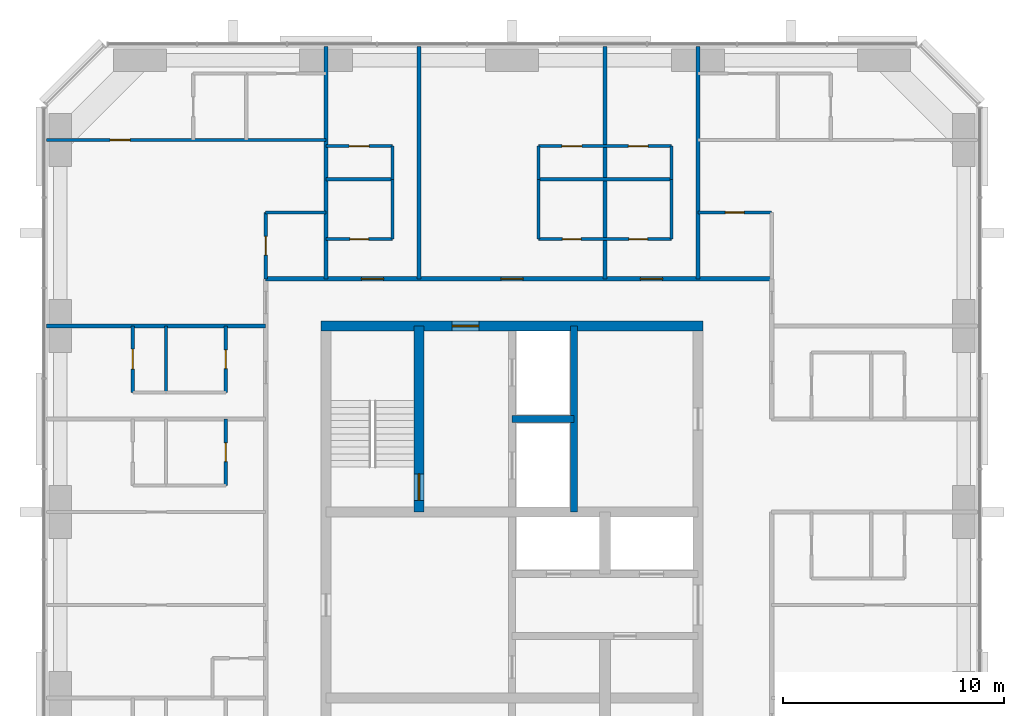
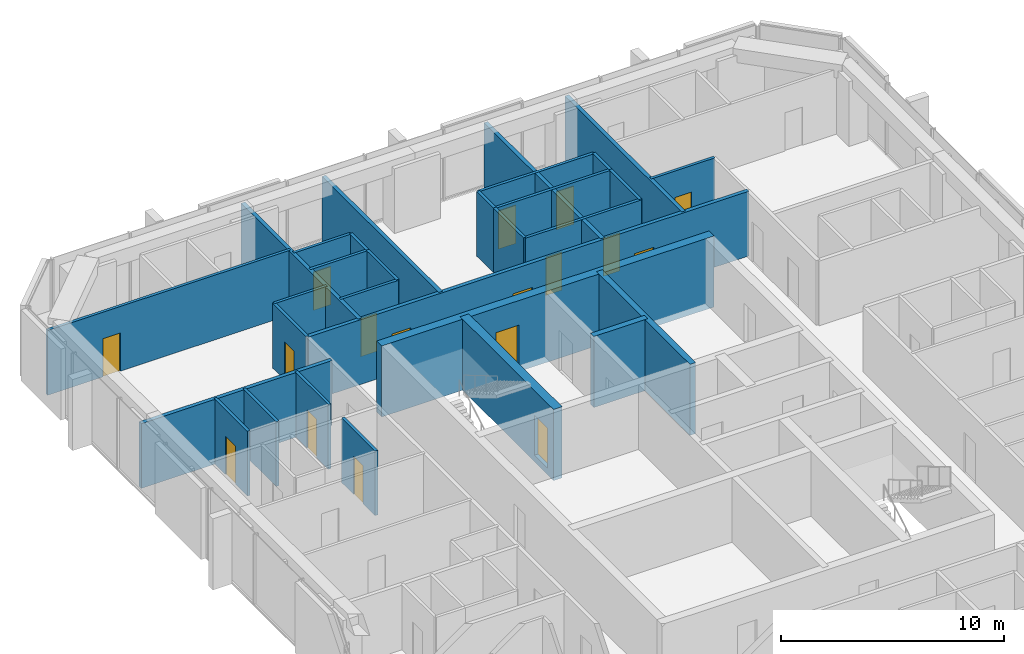
# One storey, part 10 of 12: 30 walls, 17 doors, 17 openings.
"""IFC4 building model written with IfcOpenShell, lengths in metres."""

from ifc_helpers import new_model, si_unit, direction, frame, frame_2d, origin, place, context, subcontext, project, spatial, rectangle, extrude, material, layer, layer_set, type_object, element, fill, save


model = new_model("IFC4")

# Units and contexts
model_context = context("Model", 3, precision=1e-05, world=origin(), true_north=direction((0.0, 1.0)))
body_context = subcontext(model_context, "Body", "Model", "MODEL_VIEW")
ifc_project = project(units=[si_unit("LENGTHUNIT", "METRE"), si_unit("AREAUNIT", "SQUARE_METRE"), si_unit("VOLUMEUNIT", "CUBIC_METRE"), si_unit("PLANEANGLEUNIT", "RADIAN"), si_unit("MASSUNIT", "GRAM", prefix="KILO")], contexts=[model_context])

# Site, building, storey
site_placement = place(None, origin())
site = spatial("IfcSite", under=ifc_project, at=site_placement, CompositionType="ELEMENT")
building_placement = place(site_placement, origin())
building = spatial("IfcBuilding", under=site, at=building_placement, Name="Dunama Terrace Hotel", CompositionType="ELEMENT")
storey_placement = place(building_placement, frame((0.0, 0.0, 272.39990234375)))
storey = spatial("IfcBuildingStorey", under=building, at=storey_placement, Name="L70", CompositionType="ELEMENT", Elevation=272.39990234375)

# Wall, opening, door
ifc_material_1 = material(Name="Gypsum board partition", Category="masonry")
ifc_layer_1 = layer(ifc_material_1, 0.14990234375)
ifc_layer_set_1 = layer_set([ifc_layer_1], Name="Bathroom partition 150")
wall_type_1 = type_object("IfcWallType", Name="Bathroom partition 150", PredefinedType="PARTITIONING", material=ifc_layer_set_1)
wall_1_placement = place(storey_placement, frame((20.675048828125, 34.800048828125, 0.0), z_axis=(0.0, 0.0, 1.0), x_axis=(0.0, 1.0, 0.0)))
wall_1 = element("IfcWall", 1, at=wall_1_placement, inside=storey, type_object=wall_type_1, Name="Bathroom partition 150 L70", PredefinedType="PARTITIONING", context=body_context, shape_type="SweptSolid", body=[
    extrude(rectangle(XDim=3.0, YDim=0.14990234375, at=frame_2d((1.5, 0.0))), origin(), (0.0, 0.0, 1.0), 3.550048828125),
])
opening_1_placement = place(wall_1_placement, frame((1.074951171875, 0.0, 0.0)))
opening_1 = element("IfcOpeningElement", 2, at=opening_1_placement, cuts=wall_1, Name="Opening L68-70-047", PredefinedType="OPENING", context=body_context, shape_type="SweptSolid", body=[
    extrude(rectangle(XDim=0.85009765625, YDim=2.10009765625, at=frame_2d((0.425048828125, 1.050048828125))), frame((0.0, 0.0849609375, 0.0), z_axis=(0.0, -1.0, 0.0), x_axis=(1.0, 0.0, 0.0)), (0.0, 0.0, 1.0), 0.169921875),
])
ifc_material_2 = material(Name="Timber door with steel frame", Category="steel")
door_type_1 = type_object("IfcDoorType", Name="Bathroom door 850", OperationType="SINGLE_SWING_LEFT", PredefinedType="DOOR", material=ifc_material_2)
door_1_placement = place(opening_1_placement, origin())
door_1 = element("IfcDoor", 3, at=door_1_placement, inside=storey, type_object=door_type_1, Name="Door to en-suite bathroom L68-70-047, type D2", OperationType="SINGLE_SWING_RIGHT", OverallHeight=2.10009765625, OverallWidth=0.85009765625, PredefinedType="DOOR", context=body_context, shape_type="SweptSolid", body=[
    extrude(rectangle(XDim=0.85009765625, YDim=2.10009765625, at=frame_2d((0.425048828125, 1.050048828125))), frame((0.0, 0.02490234375, 0.0), z_axis=(0.0, -1.0, 0.0), x_axis=(1.0, 0.0, 0.0)), (0.0, 0.0, 1.0), 0.050048828125),
])
fill(opening_1, door_1)

wall_2_placement = place(storey_placement, frame((20.675048828125, 39.0, 0.0), z_axis=(0.0, 0.0, 1.0), x_axis=(0.0, 1.0, 0.0)))
wall_2 = element("IfcWall", 4, at=wall_2_placement, inside=storey, type_object=wall_type_1, Name="Bathroom partition 150 L70", PredefinedType="PARTITIONING", context=body_context, shape_type="SweptSolid", body=[
    extrude(rectangle(XDim=3.0, YDim=0.14990234375, at=frame_2d((1.5, 0.0))), origin(), (0.0, 0.0, 1.0), 3.550048828125),
])
opening_2_placement = place(wall_2_placement, frame((1.074951171875, 0.0, 0.0)))
opening_2 = element("IfcOpeningElement", 5, at=opening_2_placement, cuts=wall_2, Name="Opening L68-70-050", PredefinedType="OPENING", context=body_context, shape_type="SweptSolid", body=[
    extrude(rectangle(XDim=0.85009765625, YDim=2.10009765625, at=frame_2d((0.425048828125, 1.050048828125))), frame((0.0, 0.0849609375, 0.0), z_axis=(0.0, -1.0, 0.0), x_axis=(1.0, 0.0, 0.0)), (0.0, 0.0, 1.0), 0.169921875),
])
door_2_placement = place(opening_2_placement, origin())
door_2 = element("IfcDoor", 6, at=door_2_placement, inside=storey, type_object=door_type_1, Name="Door to en-suite bathroom L68-70-050, type D2", OperationType="SINGLE_SWING_RIGHT", OverallHeight=2.10009765625, OverallWidth=0.85009765625, PredefinedType="DOOR", context=body_context, shape_type="SweptSolid", body=[
    extrude(rectangle(XDim=0.85009765625, YDim=2.10009765625, at=frame_2d((0.425048828125, 1.050048828125))), frame((0.0, 0.02490234375, 0.0), z_axis=(0.0, -1.0, 0.0), x_axis=(1.0, 0.0, 0.0)), (0.0, 0.0, 1.0), 0.050048828125),
])
fill(opening_2, door_2)

wall_3_placement = place(storey_placement, frame((22.47509765625, 44.125, 0.0), z_axis=(0.0, 0.0, 1.0), x_axis=(0.0, 1.0, 0.0)))
wall_3 = element("IfcWall", 7, at=wall_3_placement, inside=storey, type_object=wall_type_1, Name="Bathroom partition 150 L70", PredefinedType="PARTITIONING", context=body_context, shape_type="SweptSolid", body=[
    extrude(rectangle(XDim=3.0, YDim=0.14990234375, at=frame_2d((1.5, 0.0))), origin(), (0.0, 0.0, 1.0), 3.550048828125),
])
opening_3_placement = place(wall_3_placement, frame((1.074951171875, 0.0, 0.0)))
opening_3 = element("IfcOpeningElement", 8, at=opening_3_placement, cuts=wall_3, Name="Opening L68-70-068", PredefinedType="OPENING", context=body_context, shape_type="SweptSolid", body=[
    extrude(rectangle(XDim=0.85009765625, YDim=2.10009765625, at=frame_2d((0.425048828125, 1.050048828125))), frame((0.0, 0.0849609375, 0.0), z_axis=(0.0, -1.0, 0.0), x_axis=(1.0, 0.0, 0.0)), (0.0, 0.0, 1.0), 0.169921875),
])
door_3_placement = place(opening_3_placement, frame((0.85009765625, 0.0, 0.0), z_axis=(0.0, 0.0, 1.0), x_axis=(-1.0, 0.0, 0.0)))
door_3 = element("IfcDoor", 9, at=door_3_placement, inside=storey, type_object=door_type_1, Name="Door to powder room L68-70-068, type D2", OperationType="SINGLE_SWING_RIGHT", OverallHeight=2.10009765625, OverallWidth=0.85009765625, PredefinedType="DOOR", context=body_context, shape_type="SweptSolid", body=[
    extrude(rectangle(XDim=0.85009765625, YDim=2.10009765625, at=frame_2d((0.425048828125, 1.050048828125))), frame((0.0, 0.025146484375, 0.0), z_axis=(0.0, -1.0, 0.0), x_axis=(1.0, 0.0, 0.0)), (0.0, 0.0, 1.0), 0.050048828125),
])
fill(opening_3, door_3)

# Walls
for number, where, z_axis, x_axis, name in (
    (10, (28.199951171875, 45.925048828125, 0.0), (0.0, 0.0, 1.0), (0.0, 1.0, 0.0), "Bathroom partition 150 L70"),
    (11, (34.800048828125, 45.925048828125, 0.0), (0.0, 0.0, 1.0), (0.0, 1.0, 0.0), "Bathroom partition 150 L70"),
    (12, (40.800048828125, 45.925048828125, 0.0), (0.0, 0.0, 1.0), (0.0, 1.0, 0.0), "Bathroom partition 150 L70"),
):
    element("IfcWall", number, at=place(storey_placement, frame(where, z_axis=z_axis, x_axis=x_axis)), inside=storey, type_object=wall_type_1, Name=name, PredefinedType="PARTITIONING", context=body_context, shape_type="SweptSolid", body=[
        extrude(rectangle(XDim=2.699951171875, YDim=0.14990234375, at=frame_2d((1.35009765625, 0.0))), origin(), (0.0, 0.0, 1.0), 3.550048828125),
    ])

# Wall, opening, door
wall_4_placement = place(storey_placement, frame((25.199951171875, 45.925048828125, 0.0), z_axis=(0.0, 0.0, 1.0), x_axis=(1.0, 0.0, 0.0)))
wall_4 = element("IfcWall", 13, at=wall_4_placement, inside=storey, type_object=wall_type_1, Name="Bathroom partition 150 L70", PredefinedType="PARTITIONING", context=body_context, shape_type="SweptSolid", body=[
    extrude(rectangle(XDim=3.0, YDim=0.14990234375, at=frame_2d((1.5, 0.0))), origin(), (0.0, 0.0, 1.0), 3.550048828125),
])
opening_4_placement = place(wall_4_placement, frame((1.074951171875, 0.0, 0.0)))
opening_4 = element("IfcOpeningElement", 14, at=opening_4_placement, cuts=wall_4, Name="Opening L68-70-029", PredefinedType="OPENING", context=body_context, shape_type="SweptSolid", body=[
    extrude(rectangle(XDim=0.85009765625, YDim=2.10009765625, at=frame_2d((0.425048828125, 1.050048828125))), frame((0.0, 0.0849609375, 0.0), z_axis=(0.0, -1.0, 0.0), x_axis=(1.0, 0.0, 0.0)), (0.0, 0.0, 1.0), 0.169921875),
])
door_4_placement = place(opening_4_placement, origin())
door_4 = element("IfcDoor", 15, at=door_4_placement, inside=storey, type_object=door_type_1, Name="Door to en-suite bathroom L68-70-029, type D2", OperationType="SINGLE_SWING_LEFT", OverallHeight=2.10009765625, OverallWidth=0.85009765625, PredefinedType="DOOR", context=body_context, shape_type="SweptSolid", body=[
    extrude(rectangle(XDim=0.85009765625, YDim=2.10009765625, at=frame_2d((0.425048828125, 1.050048828125))), frame((0.0, 0.02490234375, 0.0), z_axis=(0.0, -1.0, 0.0), x_axis=(1.0, 0.0, 0.0)), (0.0, 0.0, 1.0), 0.050048828125),
])
fill(opening_4, door_4)

# Wall, openings, doors
wall_5_placement = place(storey_placement, frame((34.800048828125, 45.925048828125, 0.0), z_axis=(0.0, 0.0, 1.0), x_axis=(1.0, 0.0, 0.0)))
wall_5 = element("IfcWall", 16, at=wall_5_placement, inside=storey, type_object=wall_type_1, Name="Bathroom partition 150 L70", PredefinedType="PARTITIONING", context=body_context, shape_type="SweptSolid", body=[
    extrude(rectangle(XDim=6.0, YDim=0.14990234375, at=frame_2d((3.0, 0.0))), origin(), (0.0, 0.0, 1.0), 3.550048828125),
])
opening_5_placement = place(wall_5_placement, frame((1.074951171875, 0.0, 0.0)))
opening_5 = element("IfcOpeningElement", 17, at=opening_5_placement, cuts=wall_5, Name="Opening L68-70-032", PredefinedType="OPENING", context=body_context, shape_type="SweptSolid", body=[
    extrude(rectangle(XDim=0.85009765625, YDim=2.10009765625, at=frame_2d((0.425048828125, 1.050048828125))), frame((0.0, 0.0849609375, 0.0), z_axis=(0.0, -1.0, 0.0), x_axis=(1.0, 0.0, 0.0)), (0.0, 0.0, 1.0), 0.169921875),
])
opening_6_placement = place(wall_5_placement, frame((4.074951171875, 0.0, 0.0)))
opening_6 = element("IfcOpeningElement", 18, at=opening_6_placement, cuts=wall_5, Name="Opening L68-70-035", PredefinedType="OPENING", context=body_context, shape_type="SweptSolid", body=[
    extrude(rectangle(XDim=0.85009765625, YDim=2.10009765625, at=frame_2d((0.425048828125, 1.050048828125))), frame((0.0, 0.0849609375, 0.0), z_axis=(0.0, -1.0, 0.0), x_axis=(1.0, 0.0, 0.0)), (0.0, 0.0, 1.0), 0.169921875),
])
door_5_placement = place(opening_5_placement, origin())
door_5 = element("IfcDoor", 19, at=door_5_placement, inside=storey, type_object=door_type_1, Name="Door to en-suite bathroom L68-70-032, type D2", OperationType="SINGLE_SWING_RIGHT", OverallHeight=2.10009765625, OverallWidth=0.85009765625, PredefinedType="DOOR", context=body_context, shape_type="SweptSolid", body=[
    extrude(rectangle(XDim=0.85009765625, YDim=2.10009765625, at=frame_2d((0.425048828125, 1.050048828125))), frame((0.0, 0.02490234375, 0.0), z_axis=(0.0, -1.0, 0.0), x_axis=(1.0, 0.0, 0.0)), (0.0, 0.0, 1.0), 0.050048828125),
])
fill(opening_5, door_5)
door_6_placement = place(opening_6_placement, origin())
door_6 = element("IfcDoor", 20, at=door_6_placement, inside=storey, type_object=door_type_1, Name="Door to en-suite bathroom L68-70-035, type D2", OperationType="SINGLE_SWING_LEFT", OverallHeight=2.10009765625, OverallWidth=0.85009765625, PredefinedType="DOOR", context=body_context, shape_type="SweptSolid", body=[
    extrude(rectangle(XDim=0.85009765625, YDim=2.10009765625, at=frame_2d((0.425048828125, 1.050048828125))), frame((0.0, 0.02490234375, 0.0), z_axis=(0.0, -1.0, 0.0), x_axis=(1.0, 0.0, 0.0)), (0.0, 0.0, 1.0), 0.050048828125),
])
fill(opening_6, door_6)

# Wall
wall_6_placement = place(storey_placement, frame((22.47509765625, 47.125, 0.0), z_axis=(0.0, 0.0, 1.0), x_axis=(1.0, 0.0, 0.0)))
element("IfcWall", 21, at=wall_6_placement, inside=storey, type_object=wall_type_1, Name="Bathroom partition 150 L70", PredefinedType="PARTITIONING", context=body_context, shape_type="SweptSolid", body=[
    extrude(rectangle(XDim=2.724853515625, YDim=0.14990234375, at=frame_2d((1.3623046875, 0.0))), origin(), (0.0, 0.0, 1.0), 3.550048828125),
])

# Wall, opening, door
wall_7_placement = place(storey_placement, frame((42.0, 47.125, 0.0), z_axis=(0.0, 0.0, 1.0), x_axis=(1.0, 0.0, 0.0)))
wall_7 = element("IfcWall", 22, at=wall_7_placement, inside=storey, type_object=wall_type_1, Name="Bathroom partition 150 L70", PredefinedType="PARTITIONING", context=body_context, shape_type="SweptSolid", body=[
    extrude(rectangle(XDim=3.324951171875, YDim=0.14990234375, at=frame_2d((1.66259765625, 0.0))), origin(), (0.0, 0.0, 1.0), 3.550048828125),
])
opening_7_placement = place(wall_7_placement, frame((1.238037109375, 0.0, 0.0)))
opening_7 = element("IfcOpeningElement", 23, at=opening_7_placement, cuts=wall_7, Name="Opening L68-70-063", PredefinedType="OPENING", context=body_context, shape_type="SweptSolid", body=[
    extrude(rectangle(XDim=0.85009765625, YDim=2.10009765625, at=frame_2d((0.425048828125, 1.050048828125))), frame((0.0, 0.0849609375, 0.0), z_axis=(0.0, -1.0, 0.0), x_axis=(1.0, 0.0, 0.0)), (0.0, 0.0, 1.0), 0.169921875),
])
door_7_placement = place(opening_7_placement, frame((0.85009765625, 0.0, 0.0), z_axis=(0.0, 0.0, 1.0), x_axis=(-1.0, 0.0, 0.0)))
door_7 = element("IfcDoor", 24, at=door_7_placement, inside=storey, type_object=door_type_1, Name="Door to powder room L68-70-063, type D2", OperationType="SINGLE_SWING_RIGHT", OverallHeight=2.10009765625, OverallWidth=0.85009765625, PredefinedType="DOOR", context=body_context, shape_type="SweptSolid", body=[
    extrude(rectangle(XDim=0.85009765625, YDim=2.10009765625, at=frame_2d((0.425048828125, 1.050048828125))), frame((0.0, 0.025146484375, 0.0), z_axis=(0.0, -1.0, 0.0), x_axis=(1.0, 0.0, 0.0)), (0.0, 0.0, 1.0), 0.050048828125),
])
fill(opening_7, door_7)

# Walls
ifc_material_3 = material(Name="Concrete C50/60", Category="concrete")
ifc_layer_2 = layer(ifc_material_3, 0.300048828125)
ifc_layer_set_2 = layer_set([ifc_layer_2], Name="Core inner wall 300")
wall_type_2 = type_object("IfcWallType", Name="Core inner wall 300", PredefinedType="SHEAR", material=ifc_layer_set_2)
wall_8_placement = place(storey_placement, frame((36.39990234375, 33.60009765625, -0.349853515625), z_axis=(0.0, 0.0, 1.0), x_axis=(0.0, 1.0, 0.0)))
element("IfcWall", 25, at=wall_8_placement, inside=storey, type_object=wall_type_2, Name="Core inner wall 300 L70", PredefinedType="SHEAR", context=body_context, shape_type="SweptSolid", body=[
    extrude(rectangle(XDim=8.39990234375, YDim=0.300048828125, at=frame_2d((4.199951171875, 0.0))), origin(), (0.0, 0.0, 1.0), 3.89990234375),
])
wall_9_placement = place(storey_placement, frame((33.60009765625, 37.800048828125, -0.349853515625), z_axis=(0.0, 0.0, 1.0), x_axis=(1.0, 0.0, 0.0)))
element("IfcWall", 26, at=wall_9_placement, inside=storey, type_object=wall_type_2, Name="Core inner wall 300 L70", PredefinedType="SHEAR", context=body_context, shape_type="SweptSolid", body=[
    extrude(rectangle(XDim=2.7998046875, YDim=0.300048828125, at=frame_2d((1.39990234375, 0.0))), origin(), (0.0, 0.0, 1.0), 3.89990234375),
])

# Wall, opening, door
ifc_material_4 = material(Name="Concrete C50/60", Category="concrete")
ifc_layer_3 = layer(ifc_material_4, 0.449951171875)
ifc_layer_set_3 = layer_set([ifc_layer_3], Name="Core inner wall 450")
wall_type_3 = type_object("IfcWallType", Name="Core inner wall 450", PredefinedType="SHEAR", material=ifc_layer_set_3)
wall_10_placement = place(storey_placement, frame((29.39990234375, 33.60009765625, -0.349853515625), z_axis=(0.0, 0.0, 1.0), x_axis=(0.0, 1.0, 0.0)))
wall_10 = element("IfcWall", 27, at=wall_10_placement, inside=storey, type_object=wall_type_3, Name="Core inner wall 450 L70", PredefinedType="SHEAR", context=body_context, shape_type="SweptSolid", body=[
    extrude(rectangle(XDim=8.39990234375, YDim=0.449951171875, at=frame_2d((4.199951171875, 0.0))), origin(), (0.0, 0.0, 1.0), 3.89990234375),
])
opening_8_placement = place(wall_10_placement, frame((0.52490234375, 0.0, 0.35009765625)))
opening_8 = element("IfcOpeningElement", 28, at=opening_8_placement, cuts=wall_10, Name="Opening L68-70-001", PredefinedType="OPENING", context=body_context, shape_type="SweptSolid", body=[
    extrude(rectangle(XDim=1.199951171875, YDim=2.199951171875, at=frame_2d((0.60009765625, 1.10009765625))), frame((0.0, 0.23486328125, 0.0), z_axis=(0.0, -1.0, 0.0), x_axis=(1.0, 0.0, 0.0)), (0.0, 0.0, 1.0), 0.469970703125),
])
ifc_material_5 = material(Name="Timber door with steel frame", Category="steel")
door_type_2 = type_object("IfcDoorType", Name="Stair door 1200", OperationType="SINGLE_SWING_LEFT", PredefinedType="DOOR", material=ifc_material_5)
door_8_placement = place(opening_8_placement, origin())
door_8 = element("IfcDoor", 29, at=door_8_placement, inside=storey, type_object=door_type_2, Name="Stair door ST1 L68-70-001, type D5", OperationType="SINGLE_SWING_LEFT", OverallHeight=2.199951171875, OverallWidth=1.199951171875, PredefinedType="DOOR", context=body_context, shape_type="SweptSolid", body=[
    extrude(rectangle(XDim=1.199951171875, YDim=2.199951171875, at=frame_2d((0.60009765625, 1.10009765625))), frame((0.0, 0.02490234375, 0.0), z_axis=(0.0, -1.0, 0.0), x_axis=(1.0, 0.0, 0.0)), (0.0, 0.0, 1.0), 0.050048828125),
])
fill(opening_8, door_8)

ifc_material_6 = material(Name="Concrete C50/60", Category="concrete")
ifc_layer_4 = layer(ifc_material_6, 0.449951171875)
ifc_layer_set_4 = layer_set([ifc_layer_4], Name="Core wall 450")
wall_type_4 = type_object("IfcWallType", Name="Core wall 450", PredefinedType="SHEAR", material=ifc_layer_set_4)
wall_11_placement = place(storey_placement, frame((42.22509765625, 42.0, -0.349853515625), z_axis=(0.0, 0.0, 1.0), x_axis=(-1.0, 0.0, 0.0)))
wall_11 = element("IfcWall", 30, at=wall_11_placement, inside=storey, type_object=wall_type_4, Name="Core wall north L70", PredefinedType="SHEAR", context=body_context, shape_type="SweptSolid", body=[
    extrude(rectangle(XDim=17.25, YDim=0.449951171875, at=frame_2d((8.625, 0.0))), origin(), (0.0, 0.0, 1.0), 3.89990234375),
])
opening_9_placement = place(wall_11_placement, frame((10.125, 0.0, 0.35009765625)))
opening_9 = element("IfcOpeningElement", 31, at=opening_9_placement, cuts=wall_11, Name="Opening L68-70-076", PredefinedType="OPENING", context=body_context, shape_type="SweptSolid", body=[
    extrude(rectangle(XDim=1.199951171875, YDim=2.199951171875, at=frame_2d((0.60009765625, 1.10009765625))), frame((0.0, 0.23486328125, 0.0), z_axis=(0.0, -1.0, 0.0), x_axis=(1.0, 0.0, 0.0)), (0.0, 0.0, 1.0), 0.469970703125),
])
ifc_material_7 = material(Name="Timber door with steel frame", Category="steel")
door_type_3 = type_object("IfcDoorType", Name="Firefighting lobby door 1200", OperationType="SINGLE_SWING_LEFT", PredefinedType="DOOR", material=ifc_material_7)
door_9_placement = place(opening_9_placement, origin())
door_9 = element("IfcDoor", 32, at=door_9_placement, inside=storey, type_object=door_type_3, Name="Door to firefighting lobby L68-70-076, type D4", OperationType="SINGLE_SWING_RIGHT", OverallHeight=2.199951171875, OverallWidth=1.199951171875, PredefinedType="DOOR", context=body_context, shape_type="SweptSolid", body=[
    extrude(rectangle(XDim=1.199951171875, YDim=2.199951171875, at=frame_2d((0.60009765625, 1.10009765625))), frame((0.0, 0.02490234375, 0.0), z_axis=(0.0, -1.0, 0.0), x_axis=(1.0, 0.0, 0.0)), (0.0, 0.0, 1.0), 0.050048828125),
])
fill(opening_9, door_9)

# Wall, openings, doors
ifc_material_8 = material(Name="Concrete blockwork", Category="masonry")
ifc_layer_5 = layer(ifc_material_8, 0.199951171875)
ifc_layer_set_5 = layer_set([ifc_layer_5], Name="Corridor partition 200")
wall_type_5 = type_object("IfcWallType", Name="Corridor partition 200", PredefinedType="PARTITIONING", material=ifc_layer_set_5)
wall_12_placement = place(storey_placement, frame((22.47509765625, 44.125, 0.0), z_axis=(0.0, 0.0, 1.0), x_axis=(1.0, 0.0, 0.0)))
wall_12 = element("IfcWall", 33, at=wall_12_placement, inside=storey, type_object=wall_type_5, Name="Corridor partition 200 L70", PredefinedType="PARTITIONING", context=body_context, shape_type="SweptSolid", body=[
    extrude(rectangle(XDim=22.849853515625, YDim=0.199951171875, at=frame_2d((11.4248046875, 0.0))), origin(), (0.0, 0.0, 1.0), 3.550048828125),
])
opening_10_placement = place(wall_12_placement, frame((4.324951171875, 0.0, 0.0)))
opening_10 = element("IfcOpeningElement", 34, at=opening_10_placement, cuts=wall_12, Name="Opening L68-70-028", PredefinedType="OPENING", context=body_context, shape_type="SweptSolid", body=[
    extrude(rectangle(XDim=1.0, YDim=2.199951171875, at=frame_2d((0.5, 1.10009765625))), frame((0.0, 0.10986328125, 0.0), z_axis=(0.0, -1.0, 0.0), x_axis=(1.0, 0.0, 0.0)), (0.0, 0.0, 1.0), 0.219970703125),
])
opening_11_placement = place(wall_12_placement, frame((10.625, 0.0, 0.0)))
opening_11 = element("IfcOpeningElement", 35, at=opening_11_placement, cuts=wall_12, Name="Opening L68-70-031", PredefinedType="OPENING", context=body_context, shape_type="SweptSolid", body=[
    extrude(rectangle(XDim=1.0, YDim=2.199951171875, at=frame_2d((0.5, 1.10009765625))), frame((0.0, 0.10986328125, 0.0), z_axis=(0.0, -1.0, 0.0), x_axis=(1.0, 0.0, 0.0)), (0.0, 0.0, 1.0), 0.219970703125),
])
opening_12_placement = place(wall_12_placement, frame((16.925048828125, 0.0, 0.0)))
opening_12 = element("IfcOpeningElement", 36, at=opening_12_placement, cuts=wall_12, Name="Opening L68-70-034", PredefinedType="OPENING", context=body_context, shape_type="SweptSolid", body=[
    extrude(rectangle(XDim=1.0, YDim=2.199951171875, at=frame_2d((0.5, 1.10009765625))), frame((0.0, 0.10986328125, 0.0), z_axis=(0.0, -1.0, 0.0), x_axis=(1.0, 0.0, 0.0)), (0.0, 0.0, 1.0), 0.219970703125),
])
ifc_material_9 = material(Name="Timber door with steel frame", Category="steel")
door_type_4 = type_object("IfcDoorType", Name="Guest room door 1000", OperationType="SINGLE_SWING_LEFT", PredefinedType="DOOR", material=ifc_material_9)
door_10_placement = place(opening_10_placement, origin())
door_10 = element("IfcDoor", 37, at=door_10_placement, inside=storey, type_object=door_type_4, Name="Door to studio suite L68-70-028, type D1", OperationType="SINGLE_SWING_LEFT", OverallHeight=2.199951171875, OverallWidth=1.0, PredefinedType="DOOR", context=body_context, shape_type="SweptSolid", body=[
    extrude(rectangle(XDim=1.0, YDim=2.199951171875, at=frame_2d((0.5, 1.10009765625))), frame((0.0, 0.02490234375, 0.0), z_axis=(0.0, -1.0, 0.0), x_axis=(1.0, 0.0, 0.0)), (0.0, 0.0, 1.0), 0.050048828125),
])
fill(opening_10, door_10)
door_11_placement = place(opening_11_placement, origin())
door_11 = element("IfcDoor", 38, at=door_11_placement, inside=storey, type_object=door_type_4, Name="Door to junior suite L68-70-031, type D1", OperationType="SINGLE_SWING_RIGHT", OverallHeight=2.199951171875, OverallWidth=1.0, PredefinedType="DOOR", context=body_context, shape_type="SweptSolid", body=[
    extrude(rectangle(XDim=1.0, YDim=2.199951171875, at=frame_2d((0.5, 1.10009765625))), frame((0.0, 0.02490234375, 0.0), z_axis=(0.0, -1.0, 0.0), x_axis=(1.0, 0.0, 0.0)), (0.0, 0.0, 1.0), 0.050048828125),
])
fill(opening_11, door_11)
door_12_placement = place(opening_12_placement, origin())
door_12 = element("IfcDoor", 39, at=door_12_placement, inside=storey, type_object=door_type_4, Name="Door to studio suite L68-70-034, type D1", OperationType="SINGLE_SWING_LEFT", OverallHeight=2.199951171875, OverallWidth=1.0, PredefinedType="DOOR", context=body_context, shape_type="SweptSolid", body=[
    extrude(rectangle(XDim=1.0, YDim=2.199951171875, at=frame_2d((0.5, 1.10009765625))), frame((0.0, 0.02490234375, 0.0), z_axis=(0.0, -1.0, 0.0), x_axis=(1.0, 0.0, 0.0)), (0.0, 0.0, 1.0), 0.050048828125),
])
fill(opening_12, door_12)

# Walls
ifc_material_10 = material(Name="Concrete blockwork", Category="masonry")
ifc_layer_6 = layer(ifc_material_10, 0.199951171875)
ifc_layer_set_6 = layer_set([ifc_layer_6], Name="Party wall 200")
wall_type_6 = type_object("IfcWallType", Name="Party wall 200", PredefinedType="PARTITIONING", material=ifc_layer_set_6)
for number, where, z_axis, x_axis, name in (
    (40, (25.199951171875, 44.125, 0.0), (0.0, 0.0, 1.0), (0.0, 1.0, 0.0), "Party wall 200 L70"),
    (41, (29.39990234375, 44.125, 0.0), (0.0, 0.0, 1.0), (0.0, 1.0, 0.0), "Party wall 200 L70"),
    (42, (37.800048828125, 44.125, 0.0), (0.0, 0.0, 1.0), (0.0, 1.0, 0.0), "Party wall 200 L70"),
    (43, (42.0, 44.125, 0.0), (0.0, 0.0, 1.0), (0.0, 1.0, 0.0), "Party wall 200 L70"),
):
    element("IfcWall", number, at=place(storey_placement, frame(where, z_axis=z_axis, x_axis=x_axis)), inside=storey, type_object=wall_type_6, Name=name, PredefinedType="PARTITIONING", context=body_context, shape_type="SweptSolid", body=[
        extrude(rectangle(XDim=10.492919921875, YDim=0.199951171875, at=frame_2d((5.24658203125, 0.0))), origin(), (0.0, 0.0, 1.0), 3.550048828125),
    ])
wall_13_placement = place(storey_placement, frame((12.58203125, 42.0, 0.0), z_axis=(0.0, 0.0, 1.0), x_axis=(1.0, 0.0, 0.0)))
element("IfcWall", 44, at=wall_13_placement, inside=storey, type_object=wall_type_6, Name="Party wall 200 L70", PredefinedType="PARTITIONING", context=body_context, shape_type="SweptSolid", body=[
    extrude(rectangle(XDim=9.89306640625, YDim=0.199951171875, at=frame_2d((4.946533203125, 0.0))), origin(), (0.0, 0.0, 1.0), 3.550048828125),
])

# Wall, opening, door
ifc_material_11 = material(Name="Gypsum board partition", Category="masonry")
ifc_layer_7 = layer(ifc_material_11, 0.14990234375)
ifc_layer_set_7 = layer_set([ifc_layer_7], Name="Room partition 150")
wall_type_7 = type_object("IfcWallType", Name="Room partition 150", PredefinedType="PARTITIONING", material=ifc_layer_set_7)
wall_14_placement = place(storey_placement, frame((16.47509765625, 39.0, 0.0), z_axis=(0.0, 0.0, 1.0), x_axis=(0.0, 1.0, 0.0)))
wall_14 = element("IfcWall", 45, at=wall_14_placement, inside=storey, type_object=wall_type_7, Name="Room partition 150 L70", PredefinedType="PARTITIONING", context=body_context, shape_type="SweptSolid", body=[
    extrude(rectangle(XDim=3.0, YDim=0.14990234375, at=frame_2d((1.5, 0.0))), origin(), (0.0, 0.0, 1.0), 3.550048828125),
])
opening_13_placement = place(wall_14_placement, frame((1.050048828125, 0.0, 0.0)))
opening_13 = element("IfcOpeningElement", 46, at=opening_13_placement, cuts=wall_14, Name="Opening L68-70-051", PredefinedType="OPENING", context=body_context, shape_type="SweptSolid", body=[
    extrude(rectangle(XDim=0.89990234375, YDim=2.10009765625, at=frame_2d((0.449951171875, 1.050048828125))), frame((0.0, 0.0849609375, 0.0), z_axis=(0.0, -1.0, 0.0), x_axis=(1.0, 0.0, 0.0)), (0.0, 0.0, 1.0), 0.169921875),
])
ifc_material_12 = material(Name="Timber door with steel frame", Category="steel")
door_type_5 = type_object("IfcDoorType", Name="Suite internal door 900", OperationType="SINGLE_SWING_LEFT", PredefinedType="DOOR", material=ifc_material_12)
door_13_placement = place(opening_13_placement, frame((0.89990234375, 0.0, 0.0), z_axis=(0.0, 0.0, 1.0), x_axis=(-1.0, 0.0, 0.0)))
door_13 = element("IfcDoor", 47, at=door_13_placement, inside=storey, type_object=door_type_5, Name="Door to walk-in wardrobe L68-70-051, type D16", OperationType="SINGLE_SWING_RIGHT", OverallHeight=2.10009765625, OverallWidth=0.89990234375, PredefinedType="DOOR", context=body_context, shape_type="SweptSolid", body=[
    extrude(rectangle(XDim=0.89990234375, YDim=2.10009765625, at=frame_2d((0.449951171875, 1.050048828125))), frame((0.0, 0.025146484375, 0.0), z_axis=(0.0, -1.0, 0.0), x_axis=(1.0, 0.0, 0.0)), (0.0, 0.0, 1.0), 0.050048828125),
])
fill(opening_13, door_13)

# Walls
wall_15_placement = place(storey_placement, frame((17.97509765625, 39.0, 0.0), z_axis=(0.0, 0.0, 1.0), x_axis=(0.0, 1.0, 0.0)))
element("IfcWall", 48, at=wall_15_placement, inside=storey, type_object=wall_type_7, Name="Room partition 150 L70", PredefinedType="PARTITIONING", context=body_context, shape_type="SweptSolid", body=[
    extrude(rectangle(XDim=3.0, YDim=0.14990234375, at=frame_2d((1.5, 0.0))), origin(), (0.0, 0.0, 1.0), 3.550048828125),
])
for number, where, z_axis, x_axis, name in (
    (49, (28.199951171875, 48.625, 0.0), (0.0, 0.0, 1.0), (0.0, 1.0, 0.0), "Room partition 150 L70"),
    (50, (34.800048828125, 48.625, 0.0), (0.0, 0.0, 1.0), (0.0, 1.0, 0.0), "Room partition 150 L70"),
    (51, (40.800048828125, 48.625, 0.0), (0.0, 0.0, 1.0), (0.0, 1.0, 0.0), "Room partition 150 L70"),
):
    element("IfcWall", number, at=place(storey_placement, frame(where, z_axis=z_axis, x_axis=x_axis)), inside=storey, type_object=wall_type_7, Name=name, PredefinedType="PARTITIONING", context=body_context, shape_type="SweptSolid", body=[
        extrude(rectangle(XDim=1.5, YDim=0.14990234375, at=frame_2d((0.75, 0.0))), origin(), (0.0, 0.0, 1.0), 3.550048828125),
    ])
wall_16_placement = place(storey_placement, frame((25.199951171875, 48.625, 0.0), z_axis=(0.0, 0.0, 1.0), x_axis=(1.0, 0.0, 0.0)))
element("IfcWall", 52, at=wall_16_placement, inside=storey, type_object=wall_type_7, Name="Room partition 150 L70", PredefinedType="PARTITIONING", context=body_context, shape_type="SweptSolid", body=[
    extrude(rectangle(XDim=3.0, YDim=0.14990234375, at=frame_2d((1.5, 0.0))), origin(), (0.0, 0.0, 1.0), 3.550048828125),
])
wall_17_placement = place(storey_placement, frame((34.800048828125, 48.625, 0.0), z_axis=(0.0, 0.0, 1.0), x_axis=(1.0, 0.0, 0.0)))
element("IfcWall", 53, at=wall_17_placement, inside=storey, type_object=wall_type_7, Name="Room partition 150 L70", PredefinedType="PARTITIONING", context=body_context, shape_type="SweptSolid", body=[
    extrude(rectangle(XDim=6.0, YDim=0.14990234375, at=frame_2d((3.0, 0.0))), origin(), (0.0, 0.0, 1.0), 3.550048828125),
])

# Wall, opening, door
wall_18_placement = place(storey_placement, frame((25.199951171875, 50.125, 0.0), z_axis=(0.0, 0.0, 1.0), x_axis=(1.0, 0.0, 0.0)))
wall_18 = element("IfcWall", 54, at=wall_18_placement, inside=storey, type_object=wall_type_7, Name="Room partition 150 L70", PredefinedType="PARTITIONING", context=body_context, shape_type="SweptSolid", body=[
    extrude(rectangle(XDim=3.0, YDim=0.14990234375, at=frame_2d((1.5, 0.0))), origin(), (0.0, 0.0, 1.0), 3.550048828125),
])
opening_14_placement = place(wall_18_placement, frame((1.050048828125, 0.0, 0.0)))
opening_14 = element("IfcOpeningElement", 55, at=opening_14_placement, cuts=wall_18, Name="Opening L68-70-030", PredefinedType="OPENING", context=body_context, shape_type="SweptSolid", body=[
    extrude(rectangle(XDim=0.89990234375, YDim=2.10009765625, at=frame_2d((0.449951171875, 1.050048828125))), frame((0.0, 0.0849609375, 0.0), z_axis=(0.0, -1.0, 0.0), x_axis=(1.0, 0.0, 0.0)), (0.0, 0.0, 1.0), 0.169921875),
])
door_14_placement = place(opening_14_placement, frame((0.89990234375, 0.0, 0.0), z_axis=(0.0, 0.0, 1.0), x_axis=(-1.0, 0.0, 0.0)))
door_14 = element("IfcDoor", 56, at=door_14_placement, inside=storey, type_object=door_type_5, Name="Door to walk-in wardrobe L68-70-030, type D16", OperationType="SINGLE_SWING_RIGHT", OverallHeight=2.10009765625, OverallWidth=0.89990234375, PredefinedType="DOOR", context=body_context, shape_type="SweptSolid", body=[
    extrude(rectangle(XDim=0.89990234375, YDim=2.10009765625, at=frame_2d((0.449951171875, 1.050048828125))), frame((0.0, 0.025146484375, 0.0), z_axis=(0.0, -1.0, 0.0), x_axis=(1.0, 0.0, 0.0)), (0.0, 0.0, 1.0), 0.050048828125),
])
fill(opening_14, door_14)

# Wall, openings, doors
wall_19_placement = place(storey_placement, frame((34.800048828125, 50.125, 0.0), z_axis=(0.0, 0.0, 1.0), x_axis=(1.0, 0.0, 0.0)))
wall_19 = element("IfcWall", 57, at=wall_19_placement, inside=storey, type_object=wall_type_7, Name="Room partition 150 L70", PredefinedType="PARTITIONING", context=body_context, shape_type="SweptSolid", body=[
    extrude(rectangle(XDim=6.0, YDim=0.14990234375, at=frame_2d((3.0, 0.0))), origin(), (0.0, 0.0, 1.0), 3.550048828125),
])
opening_15_placement = place(wall_19_placement, frame((1.050048828125, 0.0, 0.0)))
opening_15 = element("IfcOpeningElement", 58, at=opening_15_placement, cuts=wall_19, Name="Opening L68-70-033", PredefinedType="OPENING", context=body_context, shape_type="SweptSolid", body=[
    extrude(rectangle(XDim=0.89990234375, YDim=2.10009765625, at=frame_2d((0.449951171875, 1.050048828125))), frame((0.0, 0.0849609375, 0.0), z_axis=(0.0, -1.0, 0.0), x_axis=(1.0, 0.0, 0.0)), (0.0, 0.0, 1.0), 0.169921875),
])
opening_16_placement = place(wall_19_placement, frame((4.050048828125, 0.0, 0.0)))
opening_16 = element("IfcOpeningElement", 59, at=opening_16_placement, cuts=wall_19, Name="Opening L68-70-036", PredefinedType="OPENING", context=body_context, shape_type="SweptSolid", body=[
    extrude(rectangle(XDim=0.89990234375, YDim=2.10009765625, at=frame_2d((0.449951171875, 1.050048828125))), frame((0.0, 0.0849609375, 0.0), z_axis=(0.0, -1.0, 0.0), x_axis=(1.0, 0.0, 0.0)), (0.0, 0.0, 1.0), 0.169921875),
])
door_15_placement = place(opening_15_placement, frame((0.89990234375, 0.0, 0.0), z_axis=(0.0, 0.0, 1.0), x_axis=(-1.0, 0.0, 0.0)))
door_15 = element("IfcDoor", 60, at=door_15_placement, inside=storey, type_object=door_type_5, Name="Door to walk-in wardrobe L68-70-033, type D16", OperationType="SINGLE_SWING_RIGHT", OverallHeight=2.10009765625, OverallWidth=0.89990234375, PredefinedType="DOOR", context=body_context, shape_type="SweptSolid", body=[
    extrude(rectangle(XDim=0.89990234375, YDim=2.10009765625, at=frame_2d((0.449951171875, 1.050048828125))), frame((0.0, 0.025146484375, 0.0), z_axis=(0.0, -1.0, 0.0), x_axis=(1.0, 0.0, 0.0)), (0.0, 0.0, 1.0), 0.050048828125),
])
fill(opening_15, door_15)
door_16_placement = place(opening_16_placement, frame((0.89990234375, 0.0, 0.0), z_axis=(0.0, 0.0, 1.0), x_axis=(-1.0, 0.0, 0.0)))
door_16 = element("IfcDoor", 61, at=door_16_placement, inside=storey, type_object=door_type_5, Name="Door to walk-in wardrobe L68-70-036, type D16", OperationType="SINGLE_SWING_RIGHT", OverallHeight=2.10009765625, OverallWidth=0.89990234375, PredefinedType="DOOR", context=body_context, shape_type="SweptSolid", body=[
    extrude(rectangle(XDim=0.89990234375, YDim=2.10009765625, at=frame_2d((0.449951171875, 1.050048828125))), frame((0.0, 0.025146484375, 0.0), z_axis=(0.0, -1.0, 0.0), x_axis=(1.0, 0.0, 0.0)), (0.0, 0.0, 1.0), 0.050048828125),
])
fill(opening_16, door_16)

# Wall, opening, door
wall_20_placement = place(storey_placement, frame((12.58203125, 50.39990234375, 0.0), z_axis=(0.0, 0.0, 1.0), x_axis=(1.0, 0.0, 0.0)))
wall_20 = element("IfcWall", 62, at=wall_20_placement, inside=storey, type_object=wall_type_7, Name="Room partition 150 L70", PredefinedType="PARTITIONING", context=body_context, shape_type="SweptSolid", body=[
    extrude(rectangle(XDim=12.617919921875, YDim=0.14990234375, at=frame_2d((6.30908203125, 0.0))), origin(), (0.0, 0.0, 1.0), 3.550048828125),
])
opening_17_placement = place(wall_20_placement, frame((2.867919921875, 0.0, 0.0)))
opening_17 = element("IfcOpeningElement", 63, at=opening_17_placement, cuts=wall_20, Name="Opening L68-70-069", PredefinedType="OPENING", context=body_context, shape_type="SweptSolid", body=[
    extrude(rectangle(XDim=0.89990234375, YDim=2.10009765625, at=frame_2d((0.449951171875, 1.050048828125))), frame((0.0, 0.0849609375, 0.0), z_axis=(0.0, -1.0, 0.0), x_axis=(1.0, 0.0, 0.0)), (0.0, 0.0, 1.0), 0.169921875),
])
door_17_placement = place(opening_17_placement, origin())
door_17 = element("IfcDoor", 64, at=door_17_placement, inside=storey, type_object=door_type_5, Name="Door to grand corner suite bedroom L68-70-069, type D16", OperationType="SINGLE_SWING_LEFT", OverallHeight=2.10009765625, OverallWidth=0.89990234375, PredefinedType="DOOR", context=body_context, shape_type="SweptSolid", body=[
    extrude(rectangle(XDim=0.89990234375, YDim=2.10009765625, at=frame_2d((0.449951171875, 1.050048828125))), frame((0.0, 0.02490234375, 0.0), z_axis=(0.0, -1.0, 0.0), x_axis=(1.0, 0.0, 0.0)), (0.0, 0.0, 1.0), 0.050048828125),
])
fill(opening_17, door_17)

save(model, "model.ifc")
